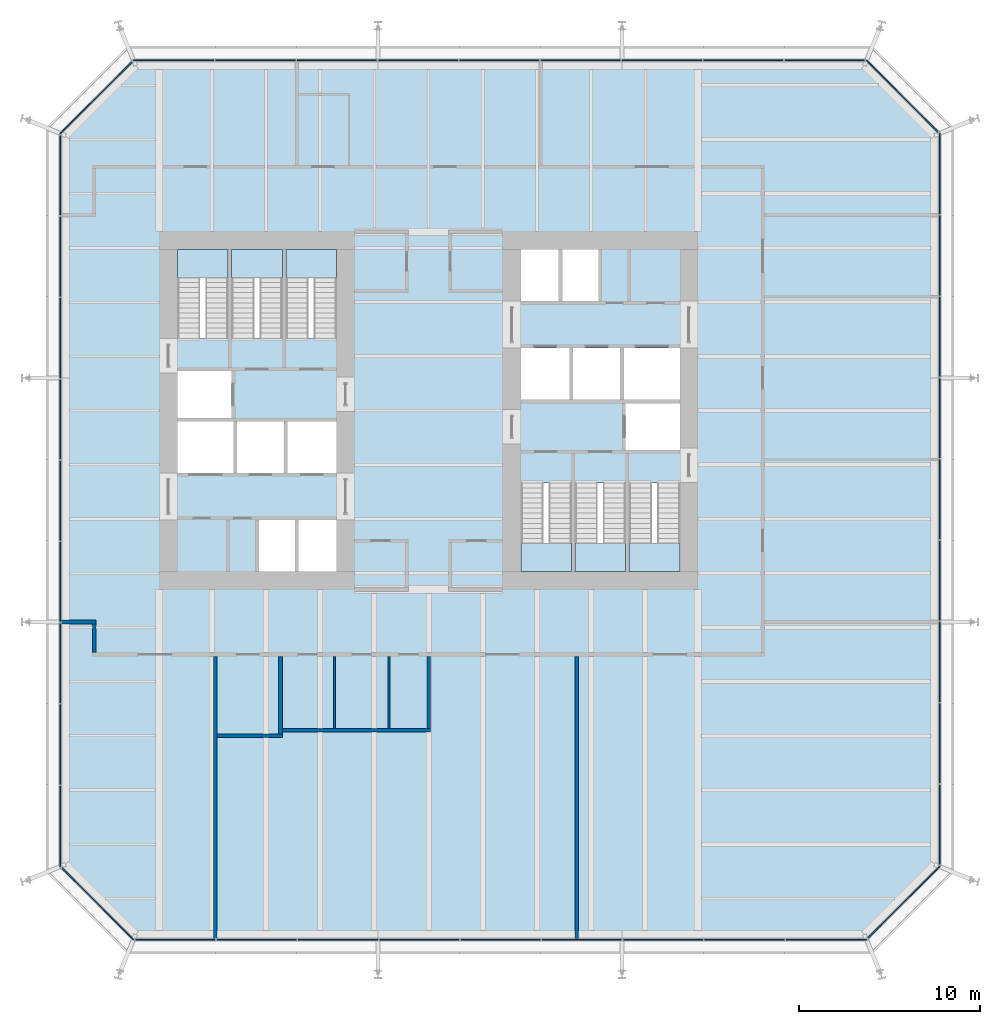
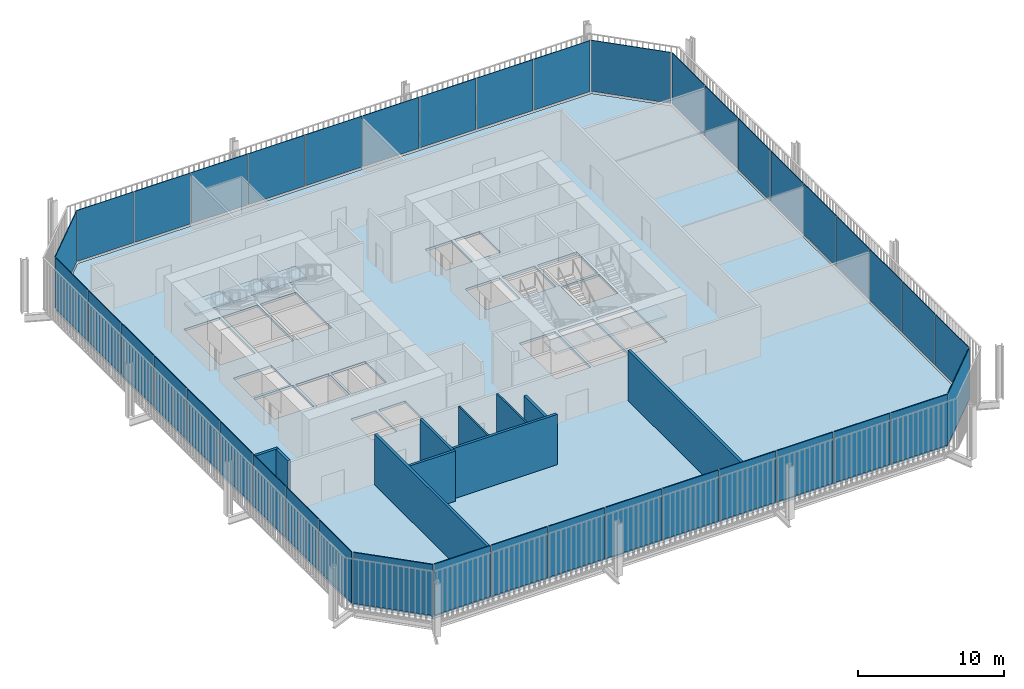
# One storey, part 15 of 20: 40 plates, 10 walls, 7 slabs, 14 elements without a shape of their own.
"""IFC4 building model written with IfcOpenShell, lengths in metres."""

from ifc_helpers import new_model, si_unit, direction, frame, frame_2d, origin, place, context, subcontext, project, spatial, polyline, rectangle, outline, extrude, material, layer, layer_set, type_object, element, aggregate, save


model = new_model("IFC4")

# Units and contexts
model_context = context("Model", 3, precision=1e-05, world=origin(), true_north=direction((0.0, 1.0)))
body_context = subcontext(model_context, "Body", "Model", "MODEL_VIEW")
ifc_project = project(units=[si_unit("LENGTHUNIT", "METRE"), si_unit("AREAUNIT", "SQUARE_METRE"), si_unit("VOLUMEUNIT", "CUBIC_METRE"), si_unit("PLANEANGLEUNIT", "RADIAN"), si_unit("MASSUNIT", "GRAM", prefix="KILO")], contexts=[model_context])

# Site, building, storey
site_placement = place(None, origin())
site = spatial("IfcSite", under=ifc_project, at=site_placement, CompositionType="ELEMENT")
building_placement = place(site_placement, origin())
building = spatial("IfcBuilding", under=site, at=building_placement, Name="Millrace Tower", CompositionType="ELEMENT")
storey_placement = place(building_placement, frame((0.0, 0.0, 86.39990234375)))
storey = spatial("IfcBuildingStorey", under=building, at=storey_placement, Name="L19", CompositionType="ELEMENT", Elevation=86.39990234375)

# Curtain wall, plate
ifc_material_1 = material(Name="Aluminium and glass", Category="aluminium")
ifc_layer_1 = layer(ifc_material_1, 0.14990234375)
ifc_layer_set_1 = layer_set([ifc_layer_1], Name="Aluminium and glass")
curtain_wall_type = type_object("IfcCurtainWallType", Name="CW-3 telecom floor curtain wall", PredefinedType="NOTDEFINED", material=ifc_layer_set_1)
placement_1 = place(storey_placement, origin())
curtain_wall_1 = element("IfcCurtainWall", 1, at=placement_1, inside=storey, type_object=curtain_wall_type, Name="Curtain wall B-F01 L19", PredefinedType="NOTDEFINED")
ifc_material_2 = material(Name="Glass", Category="glass")
ifc_layer_2 = layer(ifc_material_2, 0.06005859375)
ifc_layer_set_2 = layer_set([ifc_layer_2], Name="Glass")
plate_type = type_object("IfcPlateType", Name="CW-3 telecom floor curtain wall triple-glazed panel with spandrel", PredefinedType="CURTAIN_PANEL", material=ifc_layer_set_2)
placement_2 = place(storey_placement, frame((0.0, 0.0, 0.150146484375)))
plate_1 = element("IfcPlate", 2, at=placement_2, type_object=plate_type, Name="CW3 panel B-F01.1", PredefinedType="CURTAIN_PANEL", context=body_context, shape_type="SweptSolid", body=[
    extrude(outline(polyline([(-20.328369140625, -25.3203125), (-16.343505859375, -29.304931640625), (-16.318603515625, -29.2451171875), (-20.285888671875, -25.27783203125), (-20.328369140625, -25.3203125)])), origin(), (0.0, 0.0, 1.0), 4.25),
])
aggregate(curtain_wall_1, [plate_1])

# Curtain wall, plates
curtain_wall_2 = element("IfcCurtainWall", 3, at=placement_1, inside=storey, type_object=curtain_wall_type, Name="Curtain wall B-F02 L19", PredefinedType="NOTDEFINED")
plate_2 = element("IfcPlate", 4, at=placement_2, type_object=plate_type, Name="CW3 panel B-F02.1", PredefinedType="CURTAIN_PANEL", context=body_context, shape_type="SweptSolid", body=[
    extrude(outline(polyline([(-16.235107421875, -29.304931640625), (-11.800048828125, -29.304931640625), (-11.800048828125, -29.2451171875), (-16.235107421875, -29.2451171875), (-16.235107421875, -29.304931640625)])), origin(), (0.0, 0.0, 1.0), 4.25),
])
plate_3 = element("IfcPlate", 5, at=placement_2, type_object=plate_type, Name="CW3 panel B-F02.2", PredefinedType="CURTAIN_PANEL", context=body_context, shape_type="SweptSolid", body=[
    extrude(outline(polyline([(-11.735107421875, -29.304931640625), (-7.300048828125, -29.304931640625), (-7.300048828125, -29.2451171875), (-11.735107421875, -29.2451171875), (-11.735107421875, -29.304931640625)])), origin(), (0.0, 0.0, 1.0), 4.25),
])
plate_4 = element("IfcPlate", 6, at=placement_2, type_object=plate_type, Name="CW3 panel B-F02.3", PredefinedType="CURTAIN_PANEL", context=body_context, shape_type="SweptSolid", body=[
    extrude(outline(polyline([(-7.235107421875, -29.304931640625), (-2.800048828125, -29.304931640625), (-2.800048828125, -29.2451171875), (-7.235107421875, -29.2451171875), (-7.235107421875, -29.304931640625)])), origin(), (0.0, 0.0, 1.0), 4.25),
])
plate_5 = element("IfcPlate", 7, at=placement_2, type_object=plate_type, Name="CW3 panel B-F02.4", PredefinedType="CURTAIN_PANEL", context=body_context, shape_type="SweptSolid", body=[
    extrude(outline(polyline([(-2.735107421875, -29.304931640625), (1.699951171875, -29.304931640625), (1.699951171875, -29.2451171875), (-2.735107421875, -29.2451171875), (-2.735107421875, -29.304931640625)])), origin(), (0.0, 0.0, 1.0), 4.25),
])
plate_6 = element("IfcPlate", 8, at=placement_2, type_object=plate_type, Name="CW3 panel B-F02.5", PredefinedType="CURTAIN_PANEL", context=body_context, shape_type="SweptSolid", body=[
    extrude(outline(polyline([(1.764892578125, -29.304931640625), (6.199951171875, -29.304931640625), (6.199951171875, -29.2451171875), (1.764892578125, -29.2451171875), (1.764892578125, -29.304931640625)])), origin(), (0.0, 0.0, 1.0), 4.25),
])
plate_7 = element("IfcPlate", 9, at=placement_2, type_object=plate_type, Name="CW3 panel B-F02.6", PredefinedType="CURTAIN_PANEL", context=body_context, shape_type="SweptSolid", body=[
    extrude(outline(polyline([(6.264892578125, -29.304931640625), (10.699951171875, -29.304931640625), (10.699951171875, -29.2451171875), (6.264892578125, -29.2451171875), (6.264892578125, -29.304931640625)])), origin(), (0.0, 0.0, 1.0), 4.25),
])
plate_8 = element("IfcPlate", 10, at=placement_2, type_object=plate_type, Name="CW3 panel B-F02.7", PredefinedType="CURTAIN_PANEL", context=body_context, shape_type="SweptSolid", body=[
    extrude(outline(polyline([(10.764892578125, -29.304931640625), (15.199951171875, -29.304931640625), (15.199951171875, -29.2451171875), (10.764892578125, -29.2451171875), (10.764892578125, -29.304931640625)])), origin(), (0.0, 0.0, 1.0), 4.25),
])
plate_9 = element("IfcPlate", 11, at=placement_2, type_object=plate_type, Name="CW3 panel B-F02.8", PredefinedType="CURTAIN_PANEL", context=body_context, shape_type="SweptSolid", body=[
    extrude(outline(polyline([(15.264892578125, -29.304931640625), (19.699951171875, -29.304931640625), (19.699951171875, -29.2451171875), (15.264892578125, -29.2451171875), (15.264892578125, -29.304931640625)])), origin(), (0.0, 0.0, 1.0), 4.25),
])
plate_10 = element("IfcPlate", 12, at=placement_2, type_object=plate_type, Name="CW3 panel B-F02.9", PredefinedType="CURTAIN_PANEL", context=body_context, shape_type="SweptSolid", body=[
    extrude(outline(polyline([(19.764892578125, -29.304931640625), (24.243408203125, -29.304931640625), (24.21875, -29.2451171875), (19.764892578125, -29.2451171875), (19.764892578125, -29.304931640625)])), origin(), (0.0, 0.0, 1.0), 4.25),
])
aggregate(curtain_wall_2, [plate_2, plate_3, plate_4, plate_5, plate_6, plate_7, plate_8, plate_9, plate_10])

# Curtain wall, plate
curtain_wall_3 = element("IfcCurtainWall", 13, at=placement_1, inside=storey, type_object=curtain_wall_type, Name="Curtain wall B-F03 L19", PredefinedType="NOTDEFINED")
plate_11 = element("IfcPlate", 14, at=placement_2, type_object=plate_type, Name="CW3 panel B-F03.1", PredefinedType="CURTAIN_PANEL", context=body_context, shape_type="SweptSolid", body=[
    extrude(outline(polyline([(24.3203125, -29.228271484375), (28.304931640625, -25.243408203125), (28.2451171875, -25.21875), (24.27783203125, -29.185791015625), (24.3203125, -29.228271484375)])), origin(), (0.0, 0.0, 1.0), 4.25),
])
aggregate(curtain_wall_3, [plate_11])

# Curtain wall, plates
curtain_wall_4 = element("IfcCurtainWall", 15, at=placement_1, inside=storey, type_object=curtain_wall_type, Name="Curtain wall B-F04 L19", PredefinedType="NOTDEFINED")
plate_12 = element("IfcPlate", 16, at=placement_2, type_object=plate_type, Name="CW3 panel B-F04.1", PredefinedType="CURTAIN_PANEL", context=body_context, shape_type="SweptSolid", body=[
    extrude(outline(polyline([(28.304931640625, -25.135009765625), (28.304931640625, -20.699951171875), (28.2451171875, -20.699951171875), (28.2451171875, -25.135009765625), (28.304931640625, -25.135009765625)])), origin(), (0.0, 0.0, 1.0), 4.25),
])
plate_13 = element("IfcPlate", 17, at=placement_2, type_object=plate_type, Name="CW3 panel B-F04.2", PredefinedType="CURTAIN_PANEL", context=body_context, shape_type="SweptSolid", body=[
    extrude(outline(polyline([(28.304931640625, -20.635009765625), (28.304931640625, -16.199951171875), (28.2451171875, -16.199951171875), (28.2451171875, -20.635009765625), (28.304931640625, -20.635009765625)])), origin(), (0.0, 0.0, 1.0), 4.25),
])
plate_14 = element("IfcPlate", 18, at=placement_2, type_object=plate_type, Name="CW3 panel B-F04.3", PredefinedType="CURTAIN_PANEL", context=body_context, shape_type="SweptSolid", body=[
    extrude(outline(polyline([(28.304931640625, -16.135009765625), (28.304931640625, -11.699951171875), (28.2451171875, -11.699951171875), (28.2451171875, -16.135009765625), (28.304931640625, -16.135009765625)])), origin(), (0.0, 0.0, 1.0), 4.25),
])
plate_15 = element("IfcPlate", 19, at=placement_2, type_object=plate_type, Name="CW3 panel B-F04.4", PredefinedType="CURTAIN_PANEL", context=body_context, shape_type="SweptSolid", body=[
    extrude(outline(polyline([(28.304931640625, -11.635009765625), (28.304931640625, -7.199951171875), (28.2451171875, -7.199951171875), (28.2451171875, -11.635009765625), (28.304931640625, -11.635009765625)])), origin(), (0.0, 0.0, 1.0), 4.25),
])
plate_16 = element("IfcPlate", 20, at=placement_2, type_object=plate_type, Name="CW3 panel B-F04.5", PredefinedType="CURTAIN_PANEL", context=body_context, shape_type="SweptSolid", body=[
    extrude(outline(polyline([(28.304931640625, -7.135009765625), (28.304931640625, -2.699951171875), (28.2451171875, -2.699951171875), (28.2451171875, -7.135009765625), (28.304931640625, -7.135009765625)])), origin(), (0.0, 0.0, 1.0), 4.25),
])
plate_17 = element("IfcPlate", 21, at=placement_2, type_object=plate_type, Name="CW3 panel B-F04.6", PredefinedType="CURTAIN_PANEL", context=body_context, shape_type="SweptSolid", body=[
    extrude(outline(polyline([(28.304931640625, -2.635009765625), (28.304931640625, 1.800048828125), (28.2451171875, 1.800048828125), (28.2451171875, -2.635009765625), (28.304931640625, -2.635009765625)])), origin(), (0.0, 0.0, 1.0), 4.25),
])
plate_18 = element("IfcPlate", 22, at=placement_2, type_object=plate_type, Name="CW3 panel B-F04.7", PredefinedType="CURTAIN_PANEL", context=body_context, shape_type="SweptSolid", body=[
    extrude(outline(polyline([(28.304931640625, 1.864990234375), (28.304931640625, 6.300048828125), (28.2451171875, 6.300048828125), (28.2451171875, 1.864990234375), (28.304931640625, 1.864990234375)])), origin(), (0.0, 0.0, 1.0), 4.25),
])
plate_19 = element("IfcPlate", 23, at=placement_2, type_object=plate_type, Name="CW3 panel B-F04.8", PredefinedType="CURTAIN_PANEL", context=body_context, shape_type="SweptSolid", body=[
    extrude(outline(polyline([(28.304931640625, 6.364990234375), (28.304931640625, 10.800048828125), (28.2451171875, 10.800048828125), (28.2451171875, 6.364990234375), (28.304931640625, 6.364990234375)])), origin(), (0.0, 0.0, 1.0), 4.25),
])
plate_20 = element("IfcPlate", 24, at=placement_2, type_object=plate_type, Name="CW3 panel B-F04.9", PredefinedType="CURTAIN_PANEL", context=body_context, shape_type="SweptSolid", body=[
    extrude(outline(polyline([(28.304931640625, 10.864990234375), (28.304931640625, 15.343505859375), (28.2451171875, 15.318603515625), (28.2451171875, 10.864990234375), (28.304931640625, 10.864990234375)])), origin(), (0.0, 0.0, 1.0), 4.25),
])
aggregate(curtain_wall_4, [plate_12, plate_13, plate_14, plate_15, plate_16, plate_17, plate_18, plate_19, plate_20])

# Curtain wall, plate
curtain_wall_5 = element("IfcCurtainWall", 25, at=placement_1, inside=storey, type_object=curtain_wall_type, Name="Curtain wall B-F05 L19", PredefinedType="NOTDEFINED")
plate_21 = element("IfcPlate", 26, at=placement_2, type_object=plate_type, Name="CW3 panel B-F05.1", PredefinedType="CURTAIN_PANEL", context=body_context, shape_type="SweptSolid", body=[
    extrude(outline(polyline([(28.228271484375, 15.420166015625), (24.243408203125, 19.405029296875), (24.21875, 19.344970703125), (28.185791015625, 15.377685546875), (28.228271484375, 15.420166015625)])), origin(), (0.0, 0.0, 1.0), 4.25),
])
aggregate(curtain_wall_5, [plate_21])

# Curtain wall, plates
curtain_wall_6 = element("IfcCurtainWall", 27, at=placement_1, inside=storey, type_object=curtain_wall_type, Name="Curtain wall B-F06 L19", PredefinedType="NOTDEFINED")
plate_22 = element("IfcPlate", 28, at=placement_2, type_object=plate_type, Name="CW3 panel B-F06.1", PredefinedType="CURTAIN_PANEL", context=body_context, shape_type="SweptSolid", body=[
    extrude(outline(polyline([(24.135009765625, 19.405029296875), (19.699951171875, 19.405029296875), (19.699951171875, 19.344970703125), (24.135009765625, 19.344970703125), (24.135009765625, 19.405029296875)])), origin(), (0.0, 0.0, 1.0), 4.25),
])
plate_23 = element("IfcPlate", 29, at=placement_2, type_object=plate_type, Name="CW3 panel B-F06.2", PredefinedType="CURTAIN_PANEL", context=body_context, shape_type="SweptSolid", body=[
    extrude(outline(polyline([(19.635009765625, 19.405029296875), (15.199951171875, 19.405029296875), (15.199951171875, 19.344970703125), (19.635009765625, 19.344970703125), (19.635009765625, 19.405029296875)])), origin(), (0.0, 0.0, 1.0), 4.25),
])
plate_24 = element("IfcPlate", 30, at=placement_2, type_object=plate_type, Name="CW3 panel B-F06.3", PredefinedType="CURTAIN_PANEL", context=body_context, shape_type="SweptSolid", body=[
    extrude(outline(polyline([(15.135009765625, 19.405029296875), (10.699951171875, 19.405029296875), (10.699951171875, 19.344970703125), (15.135009765625, 19.344970703125), (15.135009765625, 19.405029296875)])), origin(), (0.0, 0.0, 1.0), 4.25),
])
plate_25 = element("IfcPlate", 31, at=placement_2, type_object=plate_type, Name="CW3 panel B-F06.4", PredefinedType="CURTAIN_PANEL", context=body_context, shape_type="SweptSolid", body=[
    extrude(outline(polyline([(10.635009765625, 19.405029296875), (6.199951171875, 19.405029296875), (6.199951171875, 19.344970703125), (10.635009765625, 19.344970703125), (10.635009765625, 19.405029296875)])), origin(), (0.0, 0.0, 1.0), 4.25),
])
plate_26 = element("IfcPlate", 32, at=placement_2, type_object=plate_type, Name="CW3 panel B-F06.5", PredefinedType="CURTAIN_PANEL", context=body_context, shape_type="SweptSolid", body=[
    extrude(outline(polyline([(6.135009765625, 19.405029296875), (1.699951171875, 19.405029296875), (1.699951171875, 19.344970703125), (6.135009765625, 19.344970703125), (6.135009765625, 19.405029296875)])), origin(), (0.0, 0.0, 1.0), 4.25),
])
plate_27 = element("IfcPlate", 33, at=placement_2, type_object=plate_type, Name="CW3 panel B-F06.6", PredefinedType="CURTAIN_PANEL", context=body_context, shape_type="SweptSolid", body=[
    extrude(outline(polyline([(1.635009765625, 19.405029296875), (-2.800048828125, 19.405029296875), (-2.800048828125, 19.344970703125), (1.635009765625, 19.344970703125), (1.635009765625, 19.405029296875)])), origin(), (0.0, 0.0, 1.0), 4.25),
])
plate_28 = element("IfcPlate", 34, at=placement_2, type_object=plate_type, Name="CW3 panel B-F06.7", PredefinedType="CURTAIN_PANEL", context=body_context, shape_type="SweptSolid", body=[
    extrude(outline(polyline([(-2.864990234375, 19.405029296875), (-7.300048828125, 19.405029296875), (-7.300048828125, 19.344970703125), (-2.864990234375, 19.344970703125), (-2.864990234375, 19.405029296875)])), origin(), (0.0, 0.0, 1.0), 4.25),
])
plate_29 = element("IfcPlate", 35, at=placement_2, type_object=plate_type, Name="CW3 panel B-F06.8", PredefinedType="CURTAIN_PANEL", context=body_context, shape_type="SweptSolid", body=[
    extrude(outline(polyline([(-7.364990234375, 19.405029296875), (-11.800048828125, 19.405029296875), (-11.800048828125, 19.344970703125), (-7.364990234375, 19.344970703125), (-7.364990234375, 19.405029296875)])), origin(), (0.0, 0.0, 1.0), 4.25),
])
plate_30 = element("IfcPlate", 36, at=placement_2, type_object=plate_type, Name="CW3 panel B-F06.9", PredefinedType="CURTAIN_PANEL", context=body_context, shape_type="SweptSolid", body=[
    extrude(outline(polyline([(-11.864990234375, 19.405029296875), (-16.343505859375, 19.405029296875), (-16.318603515625, 19.344970703125), (-11.864990234375, 19.344970703125), (-11.864990234375, 19.405029296875)])), origin(), (0.0, 0.0, 1.0), 4.25),
])
aggregate(curtain_wall_6, [plate_22, plate_23, plate_24, plate_25, plate_26, plate_27, plate_28, plate_29, plate_30])

# Curtain wall, plate
curtain_wall_7 = element("IfcCurtainWall", 37, at=placement_1, inside=storey, type_object=curtain_wall_type, Name="Curtain wall B-F07 L19", PredefinedType="NOTDEFINED")
plate_31 = element("IfcPlate", 38, at=placement_2, type_object=plate_type, Name="CW3 panel B-F07.1", PredefinedType="CURTAIN_PANEL", context=body_context, shape_type="SweptSolid", body=[
    extrude(outline(polyline([(-16.420166015625, 19.328369140625), (-20.405029296875, 15.343505859375), (-20.344970703125, 15.318603515625), (-16.377685546875, 19.285888671875), (-16.420166015625, 19.328369140625)])), origin(), (0.0, 0.0, 1.0), 4.25),
])
aggregate(curtain_wall_7, [plate_31])

# Curtain wall, plates
curtain_wall_8 = element("IfcCurtainWall", 39, at=placement_1, inside=storey, type_object=curtain_wall_type, Name="Curtain wall B-F08 L19", PredefinedType="NOTDEFINED")
plate_32 = element("IfcPlate", 40, at=placement_2, type_object=plate_type, Name="CW3 panel B-F08.1", PredefinedType="CURTAIN_PANEL", context=body_context, shape_type="SweptSolid", body=[
    extrude(outline(polyline([(-20.405029296875, 15.235107421875), (-20.405029296875, 10.800048828125), (-20.344970703125, 10.800048828125), (-20.344970703125, 15.235107421875), (-20.405029296875, 15.235107421875)])), origin(), (0.0, 0.0, 1.0), 4.25),
])
plate_33 = element("IfcPlate", 41, at=placement_2, type_object=plate_type, Name="CW3 panel B-F08.2", PredefinedType="CURTAIN_PANEL", context=body_context, shape_type="SweptSolid", body=[
    extrude(outline(polyline([(-20.405029296875, 10.735107421875), (-20.405029296875, 6.300048828125), (-20.344970703125, 6.300048828125), (-20.344970703125, 10.735107421875), (-20.405029296875, 10.735107421875)])), origin(), (0.0, 0.0, 1.0), 4.25),
])
plate_34 = element("IfcPlate", 42, at=placement_2, type_object=plate_type, Name="CW3 panel B-F08.3", PredefinedType="CURTAIN_PANEL", context=body_context, shape_type="SweptSolid", body=[
    extrude(outline(polyline([(-20.405029296875, 6.235107421875), (-20.405029296875, 1.800048828125), (-20.344970703125, 1.800048828125), (-20.344970703125, 6.235107421875), (-20.405029296875, 6.235107421875)])), origin(), (0.0, 0.0, 1.0), 4.25),
])
plate_35 = element("IfcPlate", 43, at=placement_2, type_object=plate_type, Name="CW3 panel B-F08.4", PredefinedType="CURTAIN_PANEL", context=body_context, shape_type="SweptSolid", body=[
    extrude(outline(polyline([(-20.405029296875, 1.735107421875), (-20.405029296875, -2.699951171875), (-20.344970703125, -2.699951171875), (-20.344970703125, 1.735107421875), (-20.405029296875, 1.735107421875)])), origin(), (0.0, 0.0, 1.0), 4.25),
])
plate_36 = element("IfcPlate", 44, at=placement_2, type_object=plate_type, Name="CW3 panel B-F08.5", PredefinedType="CURTAIN_PANEL", context=body_context, shape_type="SweptSolid", body=[
    extrude(outline(polyline([(-20.405029296875, -2.764892578125), (-20.405029296875, -7.199951171875), (-20.344970703125, -7.199951171875), (-20.344970703125, -2.764892578125), (-20.405029296875, -2.764892578125)])), origin(), (0.0, 0.0, 1.0), 4.25),
])
plate_37 = element("IfcPlate", 45, at=placement_2, type_object=plate_type, Name="CW3 panel B-F08.6", PredefinedType="CURTAIN_PANEL", context=body_context, shape_type="SweptSolid", body=[
    extrude(outline(polyline([(-20.405029296875, -7.264892578125), (-20.405029296875, -11.699951171875), (-20.344970703125, -11.699951171875), (-20.344970703125, -7.264892578125), (-20.405029296875, -7.264892578125)])), origin(), (0.0, 0.0, 1.0), 4.25),
])
plate_38 = element("IfcPlate", 46, at=placement_2, type_object=plate_type, Name="CW3 panel B-F08.7", PredefinedType="CURTAIN_PANEL", context=body_context, shape_type="SweptSolid", body=[
    extrude(outline(polyline([(-20.405029296875, -11.764892578125), (-20.405029296875, -16.199951171875), (-20.344970703125, -16.199951171875), (-20.344970703125, -11.764892578125), (-20.405029296875, -11.764892578125)])), origin(), (0.0, 0.0, 1.0), 4.25),
])
plate_39 = element("IfcPlate", 47, at=placement_2, type_object=plate_type, Name="CW3 panel B-F08.8", PredefinedType="CURTAIN_PANEL", context=body_context, shape_type="SweptSolid", body=[
    extrude(outline(polyline([(-20.405029296875, -16.264892578125), (-20.405029296875, -20.699951171875), (-20.344970703125, -20.699951171875), (-20.344970703125, -16.264892578125), (-20.405029296875, -16.264892578125)])), origin(), (0.0, 0.0, 1.0), 4.25),
])
plate_40 = element("IfcPlate", 48, at=placement_2, type_object=plate_type, Name="CW3 panel B-F08.9", PredefinedType="CURTAIN_PANEL", context=body_context, shape_type="SweptSolid", body=[
    extrude(outline(polyline([(-20.405029296875, -20.764892578125), (-20.405029296875, -25.243408203125), (-20.344970703125, -25.21875), (-20.344970703125, -20.764892578125), (-20.405029296875, -20.764892578125)])), origin(), (0.0, 0.0, 1.0), 4.25),
])
aggregate(curtain_wall_8, [plate_32, plate_33, plate_34, plate_35, plate_36, plate_37, plate_38, plate_39, plate_40])

# Slab
ifc_material_3 = material(Name="Concrete C35 on steel deck", Category="concrete")
ifc_layer_3 = layer(ifc_material_3, 0.199951171875)
ifc_layer_set_3 = layer_set([ifc_layer_3], Name="Concrete C35 on steel deck")
slab_type_1 = type_object("IfcSlabType", Name="Composite floor slab 200 mm", PredefinedType="FLOOR", material=ifc_layer_set_3)
slab_1_placement = place(storey_placement, frame((0.0, 0.0, -0.199951171875)))
element("IfcSlab", 49, at=slab_1_placement, inside=storey, type_object=slab_type_1, Name="SL-B-L19-S1", PredefinedType="FLOOR", context=body_context, shape_type="SweptSolid", body=[
    extrude(outline(polyline([(-20.300048828125, -25.199951171875), (-16.300048828125, -29.199951171875), (24.199951171875, -29.199951171875), (28.199951171875, -25.199951171875), (28.199951171875, 15.300048828125), (24.199951171875, 19.300048828125), (-16.300048828125, 19.300048828125), (-20.300048828125, 15.300048828125), (-20.300048828125, -25.199951171875)]), holes=[polyline([(-9.39990234375, -8.89990234375), (-7.39990234375, -8.89990234375), (-7.39990234375, -6.050048828125), (-9.39990234375, -6.050048828125), (-9.39990234375, -8.89990234375)]), polyline([(-7.199951171875, -8.89990234375), (-5.10009765625, -8.89990234375), (-5.10009765625, -6.050048828125), (-7.199951171875, -6.050048828125), (-7.199951171875, -8.89990234375)]), polyline([(-13.89990234375, -3.449951171875), (-10.800048828125, -3.449951171875), (-10.800048828125, -0.60009765625), (-13.89990234375, -0.60009765625), (-13.89990234375, -3.449951171875)]), polyline([(-10.60009765625, -3.449951171875), (-8.0, -3.449951171875), (-8.0, -0.60009765625), (-10.60009765625, -0.60009765625), (-10.60009765625, -3.449951171875)]), polyline([(-7.800048828125, -3.449951171875), (-5.10009765625, -3.449951171875), (-5.10009765625, -0.60009765625), (-7.800048828125, -0.60009765625), (-7.800048828125, -3.449951171875)]), polyline([(-13.89990234375, -0.39990234375), (-10.89990234375, -0.39990234375), (-10.89990234375, 2.179931640625), (-13.89990234375, 2.179931640625), (-13.89990234375, -0.39990234375)]), polyline([(-13.89990234375, 4.0), (-11.10009765625, 4.0), (-11.10009765625, 8.89990234375), (-13.89990234375, 8.89990234375), (-13.89990234375, 4.0)]), polyline([(-10.89990234375, 4.0), (-8.10009765625, 4.0), (-8.10009765625, 8.89990234375), (-10.89990234375, 8.89990234375), (-10.89990234375, 4.0)]), polyline([(-7.89990234375, 4.0), (-5.10009765625, 4.0), (-5.10009765625, 8.89990234375), (-7.89990234375, 8.89990234375), (-7.89990234375, 4.0)]), polyline([(7.39990234375, 6.050048828125), (9.39990234375, 6.050048828125), (9.39990234375, 8.89990234375), (7.39990234375, 8.89990234375), (7.39990234375, 6.050048828125)]), polyline([(5.10009765625, 6.050048828125), (7.199951171875, 6.050048828125), (7.199951171875, 8.89990234375), (5.10009765625, 8.89990234375), (5.10009765625, 6.050048828125)]), polyline([(10.800048828125, 0.60009765625), (13.89990234375, 0.60009765625), (13.89990234375, 3.449951171875), (10.800048828125, 3.449951171875), (10.800048828125, 0.60009765625)]), polyline([(8.0, 0.60009765625), (10.60009765625, 0.60009765625), (10.60009765625, 3.449951171875), (8.0, 3.449951171875), (8.0, 0.60009765625)]), polyline([(5.10009765625, 0.60009765625), (7.800048828125, 0.60009765625), (7.800048828125, 3.449951171875), (5.10009765625, 3.449951171875), (5.10009765625, 0.60009765625)]), polyline([(10.89990234375, -2.179931640625), (13.89990234375, -2.179931640625), (13.89990234375, 0.39990234375), (10.89990234375, 0.39990234375), (10.89990234375, -2.179931640625)]), polyline([(11.10009765625, -8.89990234375), (13.89990234375, -8.89990234375), (13.89990234375, -4.0), (11.10009765625, -4.0), (11.10009765625, -8.89990234375)]), polyline([(8.10009765625, -8.89990234375), (10.89990234375, -8.89990234375), (10.89990234375, -4.0), (8.10009765625, -4.0), (8.10009765625, -8.89990234375)]), polyline([(5.10009765625, -8.89990234375), (7.89990234375, -8.89990234375), (7.89990234375, -4.0), (5.10009765625, -4.0), (5.10009765625, -8.89990234375)])]), origin(), (0.0, 0.0, 1.0), 0.199951171875),
])

# Stair, slab
ifc_material_4 = material(Name="Concrete C35", Category="concrete")
stair_type = type_object("IfcStairType", Name="Exit stair", PredefinedType="HALF_TURN_STAIR", material=ifc_material_4)
stair_1 = element("IfcStair", 50, at=placement_1, inside=storey, type_object=stair_type, Name="Stair 1 W L19", PredefinedType="HALF_TURN_STAIR")
ifc_material_5 = material(Name="Concrete C40", Category="concrete")
ifc_layer_4 = layer(ifc_material_5, 0.199951171875)
ifc_layer_set_4 = layer_set([ifc_layer_4], Name="Concrete C40")
slab_type_2 = type_object("IfcSlabType", Name="Stair landing", PredefinedType="LANDING", material=ifc_layer_set_4)
placement_3 = place(storey_placement, frame((0.0, 0.0, 2.0)))
slab_2 = element("IfcSlab", 51, at=placement_3, type_object=slab_type_2, Name="ST12 landing 1", PredefinedType="LANDING", context=body_context, shape_type="SweptSolid", body=[
    extrude(outline(polyline([(-13.89990234375, 7.360107421875), (-11.10009765625, 7.360107421875), (-11.10009765625, 8.89990234375), (-13.89990234375, 8.89990234375), (-13.89990234375, 7.360107421875)])), origin(), (0.0, 0.0, 1.0), 0.2001953125),
])
aggregate(stair_1, [slab_2])

stair_2 = element("IfcStair", 52, at=placement_1, inside=storey, type_object=stair_type, Name="Stair 2 W L19", PredefinedType="HALF_TURN_STAIR")
slab_3 = element("IfcSlab", 53, at=placement_3, type_object=slab_type_2, Name="ST12 landing 1", PredefinedType="LANDING", context=body_context, shape_type="SweptSolid", body=[
    extrude(outline(polyline([(-10.89990234375, 7.360107421875), (-8.10009765625, 7.360107421875), (-8.10009765625, 8.89990234375), (-10.89990234375, 8.89990234375), (-10.89990234375, 7.360107421875)])), origin(), (0.0, 0.0, 1.0), 0.2001953125),
])
aggregate(stair_2, [slab_3])

stair_3 = element("IfcStair", 54, at=placement_1, inside=storey, type_object=stair_type, Name="Stair 3 W L19", PredefinedType="HALF_TURN_STAIR")
slab_4 = element("IfcSlab", 55, at=placement_3, type_object=slab_type_2, Name="ST12 landing 1", PredefinedType="LANDING", context=body_context, shape_type="SweptSolid", body=[
    extrude(outline(polyline([(-7.89990234375, 7.360107421875), (-5.10009765625, 7.360107421875), (-5.10009765625, 8.89990234375), (-7.89990234375, 8.89990234375), (-7.89990234375, 7.360107421875)])), origin(), (0.0, 0.0, 1.0), 0.2001953125),
])
aggregate(stair_3, [slab_4])

stair_4 = element("IfcStair", 56, at=placement_1, inside=storey, type_object=stair_type, Name="Stair 1 E L19", PredefinedType="HALF_TURN_STAIR")
slab_5 = element("IfcSlab", 57, at=placement_3, type_object=slab_type_2, Name="ST12 landing 1", PredefinedType="LANDING", context=body_context, shape_type="SweptSolid", body=[
    extrude(outline(polyline([(11.10009765625, -8.89990234375), (13.89990234375, -8.89990234375), (13.89990234375, -7.360107421875), (11.10009765625, -7.360107421875), (11.10009765625, -8.89990234375)])), origin(), (0.0, 0.0, 1.0), 0.2001953125),
])
aggregate(stair_4, [slab_5])

stair_5 = element("IfcStair", 58, at=placement_1, inside=storey, type_object=stair_type, Name="Stair 2 E L19", PredefinedType="HALF_TURN_STAIR")
slab_6 = element("IfcSlab", 59, at=placement_3, type_object=slab_type_2, Name="ST12 landing 1", PredefinedType="LANDING", context=body_context, shape_type="SweptSolid", body=[
    extrude(outline(polyline([(8.10009765625, -8.89990234375), (10.89990234375, -8.89990234375), (10.89990234375, -7.360107421875), (8.10009765625, -7.360107421875), (8.10009765625, -8.89990234375)])), origin(), (0.0, 0.0, 1.0), 0.2001953125),
])
aggregate(stair_5, [slab_6])

stair_6 = element("IfcStair", 60, at=placement_1, inside=storey, type_object=stair_type, Name="Stair 3 E L19", PredefinedType="HALF_TURN_STAIR")
slab_7 = element("IfcSlab", 61, at=placement_3, type_object=slab_type_2, Name="ST12 landing 1", PredefinedType="LANDING", context=body_context, shape_type="SweptSolid", body=[
    extrude(outline(polyline([(5.10009765625, -8.89990234375), (7.89990234375, -8.89990234375), (7.89990234375, -7.360107421875), (5.10009765625, -7.360107421875), (5.10009765625, -8.89990234375)])), origin(), (0.0, 0.0, 1.0), 0.2001953125),
])
aggregate(stair_6, [slab_7])

# Walls
ifc_material_6 = material(Name="Masonry partition, fire-rated", Category="masonry")
ifc_layer_5 = layer(ifc_material_6, 0.199951171875)
ifc_layer_set_5 = layer_set([ifc_layer_5], Name="Masonry partition, fire-rated")
wall_type_1 = type_object("IfcWallType", Name="Corridor wall 200", PredefinedType="PARTITIONING", material=ifc_layer_set_5)
wall_1_placement = place(storey_placement, frame((-11.699951171875, -18.0, 0.0), z_axis=(0.0, 0.0, 1.0), x_axis=(1.0, 0.0, 0.0)))
element("IfcWall", 62, at=wall_1_placement, inside=storey, type_object=wall_type_1, Name="Corridor wall L19", PredefinedType="PARTITIONING", context=body_context, shape_type="SweptSolid", body=[
    extrude(rectangle(XDim=3.599853515625, YDim=0.199951171875, at=frame_2d((1.7998046875, 0.0))), origin(), (0.0, 0.0, 1.0), 4.2001953125),
])
wall_2_placement = place(storey_placement, frame((-8.10009765625, -17.699951171875, 0.0), z_axis=(0.0, 0.0, 1.0), x_axis=(1.0, 0.0, 0.0)))
element("IfcWall", 63, at=wall_2_placement, inside=storey, type_object=wall_type_1, Name="Corridor wall L19", PredefinedType="PARTITIONING", context=body_context, shape_type="SweptSolid", body=[
    extrude(rectangle(XDim=8.2001953125, YDim=0.199951171875, at=frame_2d((4.10009765625, 0.0))), origin(), (0.0, 0.0, 1.0), 4.2001953125),
])
wall_3_placement = place(storey_placement, frame((-20.330078125, -11.699951171875, 0.0), z_axis=(0.0, 0.0, 1.0), x_axis=(1.0, 0.0, 0.0)))
element("IfcWall", 64, at=wall_3_placement, inside=storey, type_object=wall_type_1, Name="Corridor wall L19", PredefinedType="PARTITIONING", context=body_context, shape_type="SweptSolid", body=[
    extrude(rectangle(XDim=1.93017578125, YDim=0.199951171875, at=frame_2d((0.965087890625, 0.0))), origin(), (0.0, 0.0, 1.0), 4.2001953125),
])
wall_4_placement = place(storey_placement, frame((8.18994140625, -29.22998046875, 0.0), z_axis=(0.0, 0.0, 1.0), x_axis=(0.0, 1.0, 0.0)))
element("IfcWall", 65, at=wall_4_placement, inside=storey, type_object=wall_type_1, Name="Corridor wall L19", PredefinedType="PARTITIONING", context=body_context, shape_type="SweptSolid", body=[
    extrude(rectangle(XDim=15.6298828125, YDim=0.199951171875, at=frame_2d((7.81494140625, 0.0))), origin(), (0.0, 0.0, 1.0), 4.2001953125),
])
wall_5_placement = place(storey_placement, frame((0.0, -17.60009765625, 0.0), z_axis=(0.0, 0.0, 1.0), x_axis=(0.0, 1.0, 0.0)))
element("IfcWall", 66, at=wall_5_placement, inside=storey, type_object=wall_type_1, Name="Corridor wall L19", PredefinedType="PARTITIONING", context=body_context, shape_type="SweptSolid", body=[
    extrude(rectangle(XDim=4.0, YDim=0.199951171875, at=frame_2d((2.0, 0.0))), origin(), (0.0, 0.0, 1.0), 3.27294921875),
])
wall_6_placement = place(storey_placement, frame((-8.199951171875, -17.89990234375, 0.0), z_axis=(0.0, 0.0, 1.0), x_axis=(0.0, 1.0, 0.0)))
element("IfcWall", 67, at=wall_6_placement, inside=storey, type_object=wall_type_1, Name="Corridor wall L19", PredefinedType="PARTITIONING", context=body_context, shape_type="SweptSolid", body=[
    extrude(rectangle(XDim=4.2998046875, YDim=0.199951171875, at=frame_2d((2.14990234375, 0.0))), origin(), (0.0, 0.0, 1.0), 4.2001953125),
])
wall_7_placement = place(storey_placement, frame((-11.800048828125, -29.22998046875, 0.0), z_axis=(0.0, 0.0, 1.0), x_axis=(0.0, 1.0, 0.0)))
element("IfcWall", 68, at=wall_7_placement, inside=storey, type_object=wall_type_1, Name="Corridor wall L19", PredefinedType="PARTITIONING", context=body_context, shape_type="SweptSolid", body=[
    extrude(rectangle(XDim=15.6298828125, YDim=0.199951171875, at=frame_2d((7.81494140625, 0.0))), origin(), (0.0, 0.0, 1.0), 4.2001953125),
])
wall_8_placement = place(storey_placement, frame((-18.5, -13.39990234375, 0.0), z_axis=(0.0, 0.0, 1.0), x_axis=(0.0, 1.0, 0.0)))
element("IfcWall", 69, at=wall_8_placement, inside=storey, type_object=wall_type_1, Name="Corridor wall L19", PredefinedType="PARTITIONING", context=body_context, shape_type="SweptSolid", body=[
    extrude(rectangle(XDim=1.599853515625, YDim=0.199951171875, at=frame_2d((0.7998046875, 0.0))), origin(), (0.0, 0.0, 1.0), 4.2001953125),
])
ifc_material_7 = material(Name="Gypsum board partition")
ifc_layer_6 = layer(ifc_material_7, 0.1201171875)
ifc_layer_set_6 = layer_set([ifc_layer_6], Name="Gypsum board partition")
wall_type_2 = type_object("IfcWallType", Name="Partition wall 120", PredefinedType="PARTITIONING", material=ifc_layer_set_6)
for number, where, z_axis, x_axis, name in (
    (70, (-2.199951171875, -17.60009765625, 0.0), (0.0, 0.0, 1.0), (0.0, 1.0, 0.0), "Partition wall L19"),
    (71, (-5.199951171875, -17.60009765625, 0.0), (0.0, 0.0, 1.0), (0.0, 1.0, 0.0), "Partition wall L19"),
):
    element("IfcWall", number, at=place(storey_placement, frame(where, z_axis=z_axis, x_axis=x_axis)), inside=storey, type_object=wall_type_2, Name=name, PredefinedType="PARTITIONING", context=body_context, shape_type="SweptSolid", body=[
        extrude(rectangle(XDim=4.0, YDim=0.1201171875, at=frame_2d((2.0, 0.0))), origin(), (0.0, 0.0, 1.0), 4.2001953125),
    ])

save(model, "model.ifc")
